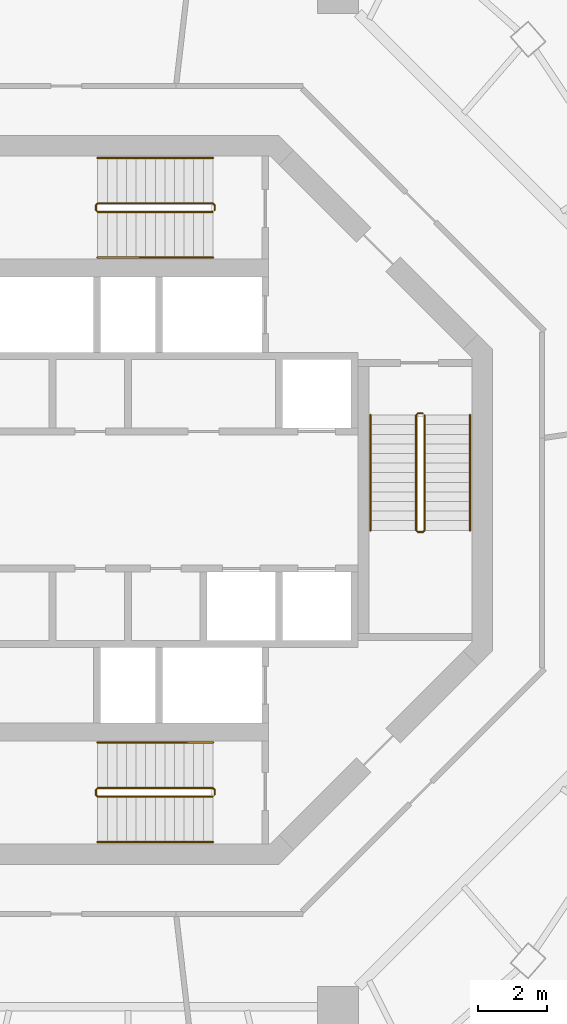
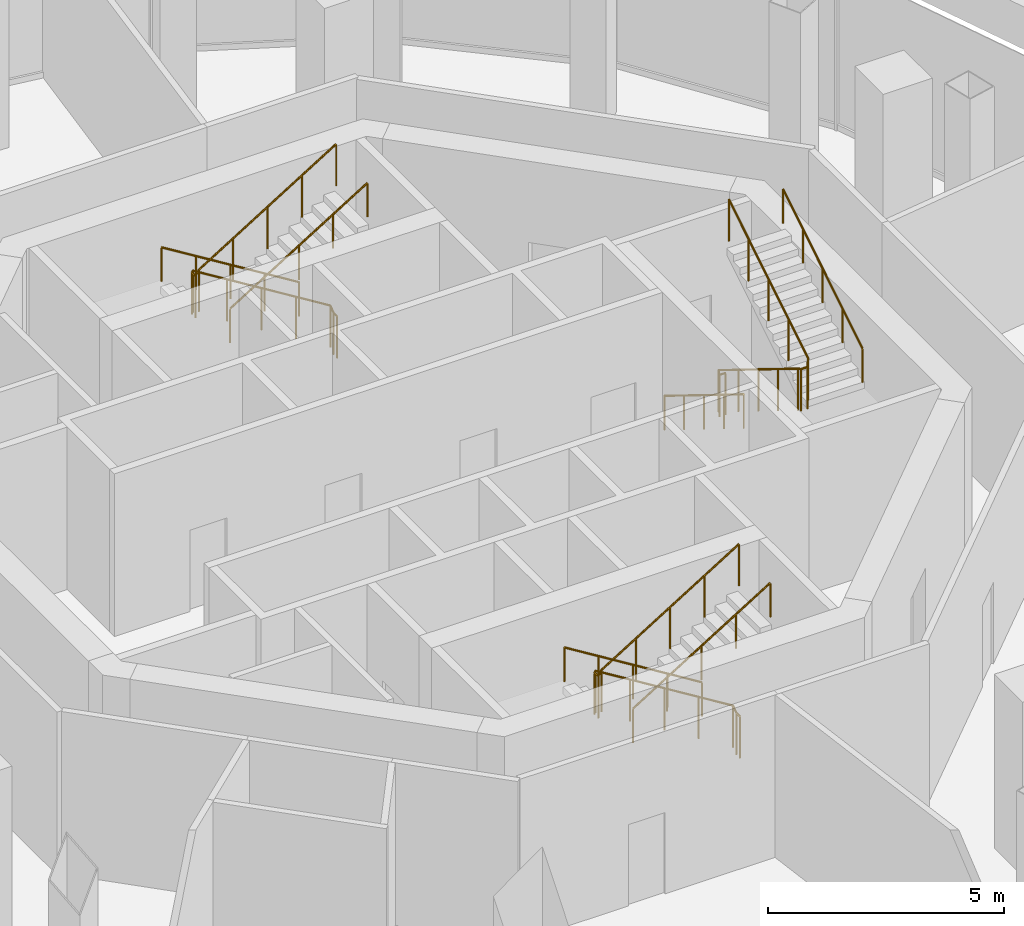
# One storey, part 10 of 11: 9 railings.
"""IFC4 building model written with IfcOpenShell, lengths in metres."""

import ifcopenshell
import ifcopenshell.guid

model = None  # the IFC model being written
_history = None  # IfcOwnerHistory: only IFC2X3 demands one
_inside = {}  # id of a spatial element -> (the spatial element, [elements in it])
_under = {}  # id of a project, library or spatial element -> (it, [spatial elements below it])
_declared = {}  # id of a project -> (the project, [libraries it declares])
_typed = {}  # id of a type object -> (the type object, [elements of that type])
_made_of = {}  # id of a material, layer set ... -> (it, [elements and type objects made of it])


def new_model(schema):
    """Start an empty IFC model of exactly this schema.

    Asked for "IFC4X3", IfcOpenShell would pick the latest addendum, in which some entities
    have other attributes; the version numbers below select the first issue.
    IFC2X3 requires an IfcOwnerHistory on every rooted entity: one is made here for all.
    """
    global model, _history
    if schema == "IFC4X3":
        model = ifcopenshell.file(schema_version=(4, 3, 0, 0))
    else:
        model = ifcopenshell.file(schema=schema)
    _inside.clear()
    _under.clear()
    _declared.clear()
    _typed.clear()
    _made_of.clear()
    _history = None
    if model.schema == "IFC2X3":
        org = make("IfcOrganization", Name="unknown")
        user = make(
            "IfcPersonAndOrganization",
            ThePerson=make("IfcPerson", FamilyName="unknown"),
            TheOrganization=org,
        )
        app = make(
            "IfcApplication",
            ApplicationDeveloper=org,
            Version="unknown",
            ApplicationFullName="unknown",
            ApplicationIdentifier="unknown",
        )
        _history = make(
            "IfcOwnerHistory",
            OwningUser=user,
            OwningApplication=app,
            ChangeAction="ADDED",
            CreationDate=0,
        )
    return model


def make(cls, **values):
    """One entity of the class cls with the attributes given. An attribute that is None is left unset."""
    return model.create_entity(
        cls, **{name: value for name, value in values.items() if value is not None}
    )


def rooted(cls, **values):
    """An entity with a GlobalId (a new one), such as an element, a storey or a relation."""
    return make(cls, GlobalId=ifcopenshell.guid.new(), OwnerHistory=_history, **values)


def si_unit(unit_type, name, prefix=None):
    """IfcSIUnit, for example si_unit("LENGTHUNIT", "METRE", prefix="MILLI")."""
    return make("IfcSIUnit", UnitType=unit_type, Prefix=prefix, Name=name)


def assignment(units):
    """IfcUnitAssignment: the units of a project."""
    return None if units is None else make("IfcUnitAssignment", Units=units)


def point(xyz):
    """IfcCartesianPoint."""
    return None if xyz is None else make("IfcCartesianPoint", Coordinates=xyz)


def direction(xyz):
    """IfcDirection."""
    return None if xyz is None else make("IfcDirection", DirectionRatios=xyz)


def frame(location, z_axis=None, x_axis=None):
    """IfcAxis2Placement3D, a coordinate frame: its origin and axes. An axis left out is left unset."""
    return make(
        "IfcAxis2Placement3D",
        Location=point(location),
        Axis=direction(z_axis),
        RefDirection=direction(x_axis),
    )


def frame_2d(location, x_axis=None):
    """IfcAxis2Placement2D, a coordinate frame in the plane: its origin and x axis."""
    return make(
        "IfcAxis2Placement2D", Location=point(location), RefDirection=direction(x_axis)
    )


def origin():
    """The frame at (0, 0, 0) with its axes left unset."""
    return frame((0.0, 0.0, 0.0))


def origin_2d():
    """The frame at (0, 0) in the plane with its x axis left unset."""
    return frame_2d((0.0, 0.0))


def place(relative_to, where):
    """IfcLocalPlacement: puts the frame where relative to a parent placement (None: the world)."""
    return make(
        "IfcLocalPlacement", PlacementRelTo=relative_to, RelativePlacement=where
    )


def context(
    kind, dimensions, precision=None, world=None, true_north=None, identifier=None
):
    """IfcGeometricRepresentationContext, for example the 3D "Model" context."""
    return make(
        "IfcGeometricRepresentationContext",
        ContextIdentifier=identifier,
        ContextType=kind,
        CoordinateSpaceDimension=dimensions,
        Precision=precision,
        WorldCoordinateSystem=world,
        TrueNorth=true_north,
    )


def subcontext(parent, identifier, kind, view, scale=None):
    """IfcGeometricRepresentationSubContext, for example "Body" below "Model"."""
    return make(
        "IfcGeometricRepresentationSubContext",
        ContextIdentifier=identifier,
        ContextType=kind,
        ParentContext=parent,
        TargetScale=scale,
        TargetView=view,
    )


def project(units=None, contexts=None):
    """IfcProject with its units and contexts."""
    return rooted(
        "IfcProject",
        Name="project",
        RepresentationContexts=contexts,
        UnitsInContext=assignment(units),
    )


def spatial(cls, under=None, at=None, **own):
    """A site, building, storey or space (cls), placed at a placement, below another one or the project."""
    s = rooted(cls, ObjectPlacement=at, **own)
    if under is not None:
        _under.setdefault(under.id(), (under, []))[1].append(s)
    return s


def profile(cls, at=None, kind="AREA", **sizes):
    """A parametric profile (cls). Its sizes go by their IFC names, for example OverallWidth=200.0."""
    return make(cls, ProfileType=kind, Position=at, **sizes)


def circle(**sizes):
    """IfcCircleProfileDef."""
    return profile("IfcCircleProfileDef", **sizes)


def extrude(swept, where, along, depth):
    """IfcExtrudedAreaSolid: the profile swept, set in the frame where, extruded along a direction by depth."""
    return make(
        "IfcExtrudedAreaSolid",
        SweptArea=swept,
        Position=where,
        ExtrudedDirection=direction(along),
        Depth=depth,
    )


def shape(context_of_items, identifier, shape_type, items):
    """IfcShapeRepresentation: the items that make up one representation, for example the "Body"."""
    return make(
        "IfcShapeRepresentation",
        ContextOfItems=context_of_items,
        RepresentationIdentifier=identifier,
        RepresentationType=shape_type,
        Items=items,
    )


def material(Name=None, Category=None):
    """IfcMaterial."""
    return make("IfcMaterial", Name=Name, Category=Category)


def made_of(thing, what):
    """Note that an element or type object is made of a material, layer set ...; save() writes the relation."""
    if what is not None:
        _made_of.setdefault(what.id(), (what, []))[1].append(thing)
    return thing


def type_object(cls, material=None, **own):
    """A type object (cls), such as IfcWallType, which elements share."""
    return made_of(rooted(cls, **own), material)


def element(
    cls,
    number,
    at=None,
    inside=None,
    cuts=None,
    type_object=None,
    material=None,
    context=None,
    identifier="Body",
    shape_type=None,
    held_by="IfcProductDefinitionShape",
    body=None,
    shapes=None,
    **own,
):
    """One element of the class cls, such as IfcWall. Its Tag is "e" and its number.

    at: its placement. inside: the storey or other place that contains it. cuts: it is an
    opening in that element (IfcRelVoidsElement). A single representation is given by context,
    identifier, shape_type and body (its items); several are given by shapes. held_by: the class
    of the entity that holds the representations. save() writes the other relations.
    """
    e = rooted(cls, Tag="e%d" % number, ObjectPlacement=at, **own)
    if body is not None:
        shapes = [shape(context, identifier, shape_type, body)]
    if shapes is not None:
        e.Representation = make(held_by, Representations=shapes)
    if inside is not None:
        _inside.setdefault(inside.id(), (inside, []))[1].append(e)
    if cuts is not None:
        rooted(
            "IfcRelVoidsElement", RelatingBuildingElement=cuts, RelatedOpeningElement=e
        )
    if type_object is not None:
        _typed.setdefault(type_object.id(), (type_object, []))[1].append(e)
    return made_of(e, material)


def aggregate(whole, parts):
    """IfcRelAggregates: a whole, such as a stair, and the parts it consists of."""
    return rooted("IfcRelAggregates", RelatingObject=whole, RelatedObjects=parts)


def save(model, path):
    """Write the relations noted so far, then the file.

    IfcRelAggregates (storeys below a building ...), IfcRelContainedInSpatialStructure (elements
    in a storey), IfcRelDefinesByType, IfcRelAssociatesMaterial and IfcRelDeclares: one each for
    every whole, place, type object, material and project.
    """
    for whole, parts in _under.values():
        aggregate(whole, parts)
    for where, things in _inside.values():
        rooted(
            "IfcRelContainedInSpatialStructure",
            RelatedElements=things,
            RelatingStructure=where,
        )
    for kind, things in _typed.values():
        rooted("IfcRelDefinesByType", RelatedObjects=things, RelatingType=kind)
    for what, things in _made_of.values():
        rooted("IfcRelAssociatesMaterial", RelatedObjects=things, RelatingMaterial=what)
    for by, libraries in _declared.values():
        rooted("IfcRelDeclares", RelatingContext=by, RelatedDefinitions=libraries)
    model.write(path)


model = new_model("IFC4")

# Units and contexts
model_context = context("Model", 3, precision=1e-05, world=origin(), true_north=direction((0.0, 1.0)))
body_context = subcontext(model_context, "Body", "Model", "MODEL_VIEW")
ifc_project = project(units=[si_unit("LENGTHUNIT", "METRE"), si_unit("AREAUNIT", "SQUARE_METRE"), si_unit("VOLUMEUNIT", "CUBIC_METRE"), si_unit("PLANEANGLEUNIT", "RADIAN"), si_unit("MASSUNIT", "GRAM", prefix="KILO")], contexts=[model_context])

# Site, building, storey
site_placement = place(None, origin())
site = spatial("IfcSite", under=ifc_project, at=site_placement, CompositionType="ELEMENT")
building_placement = place(site_placement, origin())
building = spatial("IfcBuilding", under=site, at=building_placement, Name="Nagisa Residences", CompositionType="ELEMENT")
storey_placement = place(building_placement, frame((0.0, 0.0, 320.39990234375)))
storey = spatial("IfcBuildingStorey", under=building, at=storey_placement, Name="L79", CompositionType="ELEMENT", Elevation=320.39990234375)

# Railings
ifc_material_1 = material(Name="Stainless steel", Category="steel")
railing_type_1 = type_object("IfcRailingType", Name="Stair guard 1100", PredefinedType="GUARDRAIL", material=ifc_material_1)
railing_1_placement = place(storey_placement, frame((8.599609375, 2.52490234375, 0.0)))
element("IfcRailing", 1, at=railing_1_placement, inside=storey, type_object=railing_type_1, Name="L79 ST-E stair guard 1", PredefinedType="GUARDRAIL", context=body_context, shape_type="SweptSolid", body=[
    extrude(circle(Radius=0.02392578125, at=origin_2d()), frame((0.0, 0.0, 1.076171875), z_axis=(-1.0, 0.0, 0.0), x_axis=(0.0, -1.0, 0.0)), (0.0, 0.0, 1.0), 0.14990234375),
    extrude(circle(Radius=0.02392578125, at=origin_2d()), frame((-0.14990234375, 0.0, 1.076171875), z_axis=(-0.267723051232, -0.266417085129, 0.925929967433), x_axis=(0.705375805398, -0.708833529934, 0.0)), (0.0, 0.0, 1.0), 0.18701171875),
    extrude(circle(Radius=0.02392578125, at=origin_2d()), frame((-0.199951171875, -0.0498046875, 1.2490234375), z_axis=(0.0, -0.850623216509, 0.525775754039), x_axis=(1.0, 0.0, 0.0)), (0.0, 0.0, 1.0), 3.9501953125),
    extrude(circle(Radius=0.02392578125, at=origin_2d()), frame((-0.199951171875, -3.409912109375, 3.326171875), z_axis=(0.707106781187, -0.707106781187, 0.0), x_axis=(0.707106781187, 0.707106781187, 0.0)), (0.0, 0.0, 1.0), 0.07080078125),
    extrude(circle(Radius=0.02392578125, at=origin_2d()), frame((-0.14990234375, -3.4599609375, 3.326171875), z_axis=(1.0, 0.0, 0.0), x_axis=(0.0, 1.0, 0.0)), (0.0, 0.0, 1.0), 0.14990234375),
    extrude(circle(Radius=0.02392578125, at=origin_2d()), frame((0.0, -3.4599609375, 3.326171875), z_axis=(0.267629722418, 0.267629722418, 0.925607186314), x_axis=(-0.707106781187, 0.707106781187, 0.0)), (0.0, 0.0, 1.0), 0.18701171875),
    extrude(circle(Radius=0.02392578125, at=origin_2d()), frame((0.050048828125, -3.409912109375, 3.4990234375), z_axis=(0.0, 0.850623216509, 0.525775754039), x_axis=(-1.0, 0.0, 0.0)), (0.0, 0.0, 1.0), 3.9501953125),
    extrude(circle(Radius=0.02099609375, at=origin_2d()), origin(), (0.0, 0.0, 1.0), 1.052001953125),
    extrude(circle(Radius=0.02099609375, at=origin_2d()), frame((-0.14990234375, 0.0, 0.0)), (0.0, 0.0, 1.0), 1.052001953125),
    extrude(circle(Radius=0.02099609375, at=origin_2d()), frame((-0.199951171875, -0.0498046875, 0.173095703125)), (0.0, 0.0, 1.0), 1.052001953125),
    extrude(circle(Radius=0.02099609375, at=origin_2d()), frame((-0.199951171875, -0.889892578125, 0.6923828125)), (0.0, 0.0, 1.0), 1.052001953125),
    extrude(circle(Radius=0.02099609375, at=origin_2d()), frame((-0.199951171875, -1.72998046875, 1.21142578125)), (0.0, 0.0, 1.0), 1.052001953125),
    extrude(circle(Radius=0.02099609375, at=origin_2d()), frame((-0.199951171875, -2.56982421875, 1.730712890625)), (0.0, 0.0, 1.0), 1.052001953125),
    extrude(circle(Radius=0.02099609375, at=origin_2d()), frame((-0.199951171875, -3.409912109375, 2.25)), (0.0, 0.0, 1.0), 1.052001953125),
    extrude(circle(Radius=0.02099609375, at=origin_2d()), frame((-0.14990234375, -3.4599609375, 2.25)), (0.0, 0.0, 1.0), 1.052001953125),
    extrude(circle(Radius=0.02099609375, at=origin_2d()), frame((0.0, -3.4599609375, 2.25)), (0.0, 0.0, 1.0), 1.052001953125),
    extrude(circle(Radius=0.02099609375, at=origin_2d()), frame((0.050048828125, -3.409912109375, 2.423095703125)), (0.0, 0.0, 1.0), 1.052001953125),
    extrude(circle(Radius=0.02099609375, at=origin_2d()), frame((0.050048828125, -2.56982421875, 2.9423828125)), (0.0, 0.0, 1.0), 1.052001953125),
    extrude(circle(Radius=0.02099609375, at=origin_2d()), frame((0.050048828125, -1.72998046875, 3.46142578125)), (0.0, 0.0, 1.0), 1.052001953125),
    extrude(circle(Radius=0.02099609375, at=origin_2d()), frame((0.050048828125, -0.889892578125, 3.980712890625)), (0.0, 0.0, 1.0), 1.052001953125),
    extrude(circle(Radius=0.02099609375, at=origin_2d()), frame((0.050048828125, -0.0498046875, 4.5)), (0.0, 0.0, 1.0), 1.052001953125),
])
railing_2_placement = place(storey_placement, frame((2.52490234375, 8.44970703125, 0.0)))
element("IfcRailing", 2, at=railing_2_placement, inside=storey, type_object=railing_type_1, Name="L79 ST-N stair guard 1", PredefinedType="GUARDRAIL", context=body_context, shape_type="SweptSolid", body=[
    extrude(circle(Radius=0.02392578125, at=origin_2d()), frame((0.0, 0.0, 1.076171875), z_axis=(0.0, 1.0, 0.0), x_axis=(-1.0, 0.0, 0.0)), (0.0, 0.0, 1.0), 0.14990234375),
    extrude(circle(Radius=0.02392578125, at=origin_2d()), frame((0.0, 0.14990234375, 1.076171875), z_axis=(-0.266417085129, 0.267723051232, 0.925929967433), x_axis=(-0.708833529934, -0.705375805398, 0.0)), (0.0, 0.0, 1.0), 0.18701171875),
    extrude(circle(Radius=0.02392578125, at=origin_2d()), frame((-0.0498046875, 0.199951171875, 1.2490234375), z_axis=(-0.850623216509, 0.0, 0.525775754039), x_axis=(0.0, -1.0, 0.0)), (0.0, 0.0, 1.0), 3.9501953125),
    extrude(circle(Radius=0.02392578125, at=origin_2d()), frame((-3.409912109375, 0.199951171875, 3.326171875), z_axis=(-0.707106781187, -0.707106781187, 0.0), x_axis=(0.707106781187, -0.707106781187, 0.0)), (0.0, 0.0, 1.0), 0.07080078125),
    extrude(circle(Radius=0.02392578125, at=origin_2d()), frame((-3.4599609375, 0.14990234375, 3.326171875), z_axis=(0.0, -1.0, 0.0), x_axis=(1.0, 0.0, 0.0)), (0.0, 0.0, 1.0), 0.14990234375),
    extrude(circle(Radius=0.02392578125, at=origin_2d()), frame((-3.4599609375, 0.0, 3.326171875), z_axis=(0.267629722418, -0.267629722418, 0.925607186314), x_axis=(0.707106781187, 0.707106781187, 0.0)), (0.0, 0.0, 1.0), 0.18701171875),
    extrude(circle(Radius=0.02392578125, at=origin_2d()), frame((-3.409912109375, -0.050048828125, 3.4990234375), z_axis=(0.850623216509, 0.0, 0.525775754039), x_axis=(0.0, 1.0, 0.0)), (0.0, 0.0, 1.0), 3.9501953125),
    extrude(circle(Radius=0.02099609375, at=origin_2d()), origin(), (0.0, 0.0, 1.0), 1.052001953125),
    extrude(circle(Radius=0.02099609375, at=origin_2d()), frame((0.0, 0.14990234375, 0.0)), (0.0, 0.0, 1.0), 1.052001953125),
    extrude(circle(Radius=0.02099609375, at=origin_2d()), frame((-0.0498046875, 0.199951171875, 0.173095703125)), (0.0, 0.0, 1.0), 1.052001953125),
    extrude(circle(Radius=0.02099609375, at=origin_2d()), frame((-0.889892578125, 0.199951171875, 0.6923828125)), (0.0, 0.0, 1.0), 1.052001953125),
    extrude(circle(Radius=0.02099609375, at=origin_2d()), frame((-1.72998046875, 0.199951171875, 1.21142578125)), (0.0, 0.0, 1.0), 1.052001953125),
    extrude(circle(Radius=0.02099609375, at=origin_2d()), frame((-2.56982421875, 0.199951171875, 1.730712890625)), (0.0, 0.0, 1.0), 1.052001953125),
    extrude(circle(Radius=0.02099609375, at=origin_2d()), frame((-3.409912109375, 0.199951171875, 2.25)), (0.0, 0.0, 1.0), 1.052001953125),
    extrude(circle(Radius=0.02099609375, at=origin_2d()), frame((-3.4599609375, 0.14990234375, 2.25)), (0.0, 0.0, 1.0), 1.052001953125),
    extrude(circle(Radius=0.02099609375, at=origin_2d()), frame((-3.4599609375, 0.0, 2.25)), (0.0, 0.0, 1.0), 1.052001953125),
    extrude(circle(Radius=0.02099609375, at=origin_2d()), frame((-3.409912109375, -0.050048828125, 2.423095703125)), (0.0, 0.0, 1.0), 1.052001953125),
    extrude(circle(Radius=0.02099609375, at=origin_2d()), frame((-2.56982421875, -0.050048828125, 2.9423828125)), (0.0, 0.0, 1.0), 1.052001953125),
    extrude(circle(Radius=0.02099609375, at=origin_2d()), frame((-1.72998046875, -0.050048828125, 3.46142578125)), (0.0, 0.0, 1.0), 1.052001953125),
    extrude(circle(Radius=0.02099609375, at=origin_2d()), frame((-0.889892578125, -0.050048828125, 3.980712890625)), (0.0, 0.0, 1.0), 1.052001953125),
    extrude(circle(Radius=0.02099609375, at=origin_2d()), frame((-0.0498046875, -0.050048828125, 4.5)), (0.0, 0.0, 1.0), 1.052001953125),
])
railing_3_placement = place(storey_placement, frame((2.52490234375, -8.599609375, 0.0)))
element("IfcRailing", 3, at=railing_3_placement, inside=storey, type_object=railing_type_1, Name="L79 ST-S stair guard 1", PredefinedType="GUARDRAIL", context=body_context, shape_type="SweptSolid", body=[
    extrude(circle(Radius=0.02392578125, at=origin_2d()), frame((0.0, 0.0, 1.076171875), z_axis=(0.0, 1.0, 0.0), x_axis=(-1.0, 0.0, 0.0)), (0.0, 0.0, 1.0), 0.14990234375),
    extrude(circle(Radius=0.02392578125, at=origin_2d()), frame((0.0, 0.14990234375, 1.076171875), z_axis=(-0.266417085129, 0.267723051232, 0.925929967433), x_axis=(-0.708833529934, -0.705375805398, 0.0)), (0.0, 0.0, 1.0), 0.18701171875),
    extrude(circle(Radius=0.02392578125, at=origin_2d()), frame((-0.0498046875, 0.199951171875, 1.2490234375), z_axis=(-0.850623216509, 0.0, 0.525775754039), x_axis=(0.0, -1.0, 0.0)), (0.0, 0.0, 1.0), 3.9501953125),
    extrude(circle(Radius=0.02392578125, at=origin_2d()), frame((-3.409912109375, 0.199951171875, 3.326171875), z_axis=(-0.707106781187, -0.707106781187, 0.0), x_axis=(0.707106781187, -0.707106781187, 0.0)), (0.0, 0.0, 1.0), 0.07080078125),
    extrude(circle(Radius=0.02392578125, at=origin_2d()), frame((-3.4599609375, 0.14990234375, 3.326171875), z_axis=(0.0, -1.0, 0.0), x_axis=(1.0, 0.0, 0.0)), (0.0, 0.0, 1.0), 0.14990234375),
    extrude(circle(Radius=0.02392578125, at=origin_2d()), frame((-3.4599609375, 0.0, 3.326171875), z_axis=(0.267629722418, -0.267629722418, 0.925607186314), x_axis=(0.707106781187, 0.707106781187, 0.0)), (0.0, 0.0, 1.0), 0.18701171875),
    extrude(circle(Radius=0.02392578125, at=origin_2d()), frame((-3.409912109375, -0.050048828125, 3.4990234375), z_axis=(0.850623216509, 0.0, 0.525775754039), x_axis=(0.0, 1.0, 0.0)), (0.0, 0.0, 1.0), 3.9501953125),
    extrude(circle(Radius=0.02099609375, at=origin_2d()), origin(), (0.0, 0.0, 1.0), 1.052001953125),
    extrude(circle(Radius=0.02099609375, at=origin_2d()), frame((0.0, 0.14990234375, 0.0)), (0.0, 0.0, 1.0), 1.052001953125),
    extrude(circle(Radius=0.02099609375, at=origin_2d()), frame((-0.0498046875, 0.199951171875, 0.173095703125)), (0.0, 0.0, 1.0), 1.052001953125),
    extrude(circle(Radius=0.02099609375, at=origin_2d()), frame((-0.889892578125, 0.199951171875, 0.6923828125)), (0.0, 0.0, 1.0), 1.052001953125),
    extrude(circle(Radius=0.02099609375, at=origin_2d()), frame((-1.72998046875, 0.199951171875, 1.21142578125)), (0.0, 0.0, 1.0), 1.052001953125),
    extrude(circle(Radius=0.02099609375, at=origin_2d()), frame((-2.56982421875, 0.199951171875, 1.730712890625)), (0.0, 0.0, 1.0), 1.052001953125),
    extrude(circle(Radius=0.02099609375, at=origin_2d()), frame((-3.409912109375, 0.199951171875, 2.25)), (0.0, 0.0, 1.0), 1.052001953125),
    extrude(circle(Radius=0.02099609375, at=origin_2d()), frame((-3.4599609375, 0.14990234375, 2.25)), (0.0, 0.0, 1.0), 1.052001953125),
    extrude(circle(Radius=0.02099609375, at=origin_2d()), frame((-3.4599609375, 0.0, 2.25)), (0.0, 0.0, 1.0), 1.052001953125),
    extrude(circle(Radius=0.02099609375, at=origin_2d()), frame((-3.409912109375, -0.050048828125, 2.423095703125)), (0.0, 0.0, 1.0), 1.052001953125),
    extrude(circle(Radius=0.02099609375, at=origin_2d()), frame((-2.56982421875, -0.050048828125, 2.9423828125)), (0.0, 0.0, 1.0), 1.052001953125),
    extrude(circle(Radius=0.02099609375, at=origin_2d()), frame((-1.72998046875, -0.050048828125, 3.46142578125)), (0.0, 0.0, 1.0), 1.052001953125),
    extrude(circle(Radius=0.02099609375, at=origin_2d()), frame((-0.889892578125, -0.050048828125, 3.980712890625)), (0.0, 0.0, 1.0), 1.052001953125),
    extrude(circle(Radius=0.02099609375, at=origin_2d()), frame((-0.0498046875, -0.050048828125, 4.5)), (0.0, 0.0, 1.0), 1.052001953125),
])
ifc_material_2 = material(Name="Stainless steel", Category="steel")
railing_type_2 = type_object("IfcRailingType", Name="Stair handrail 900", PredefinedType="HANDRAIL", material=ifc_material_2)
railing_4_placement = place(storey_placement, frame((7.07470703125, 2.47509765625, 0.173095703125)))
element("IfcRailing", 4, at=railing_4_placement, inside=storey, type_object=railing_type_2, Name="L79 ST-E stair handrail 1", PredefinedType="HANDRAIL", context=body_context, shape_type="SweptSolid", body=[
    extrude(circle(Radius=0.02392578125, at=origin_2d()), frame((0.0, 0.0, 0.8759765625), z_axis=(0.0, -0.850623216509, 0.525775754039), x_axis=(1.0, 0.0, 0.0)), (0.0, 0.0, 1.0), 3.9501953125),
    extrude(circle(Radius=0.02099609375, at=origin_2d()), origin(), (0.0, 0.0, 1.0), 0.851806640625),
    extrude(circle(Radius=0.02099609375, at=origin_2d()), frame((0.0, -0.840087890625, 0.519287109375)), (0.0, 0.0, 1.0), 0.851806640625),
    extrude(circle(Radius=0.02099609375, at=origin_2d()), frame((0.0, -1.68017578125, 1.03857421875)), (0.0, 0.0, 1.0), 0.851806640625),
    extrude(circle(Radius=0.02099609375, at=origin_2d()), frame((0.0, -2.52001953125, 1.5576171875)), (0.0, 0.0, 1.0), 0.851806640625),
    extrude(circle(Radius=0.02099609375, at=origin_2d()), frame((0.0, -3.360107421875, 2.076904296875)), (0.0, 0.0, 1.0), 0.851806640625),
])
railing_5_placement = place(storey_placement, frame((9.974609375, -0.885009765625, 2.423095703125)))
element("IfcRailing", 5, at=railing_5_placement, inside=storey, type_object=railing_type_2, Name="L79 ST-E stair handrail 2", PredefinedType="HANDRAIL", context=body_context, shape_type="SweptSolid", body=[
    extrude(circle(Radius=0.02392578125, at=origin_2d()), frame((0.0, 0.0, 0.8759765625), z_axis=(0.0, 0.850623216509, 0.525775754039), x_axis=(-1.0, 0.0, 0.0)), (0.0, 0.0, 1.0), 3.9501953125),
    extrude(circle(Radius=0.02099609375, at=origin_2d()), origin(), (0.0, 0.0, 1.0), 0.851806640625),
    extrude(circle(Radius=0.02099609375, at=origin_2d()), frame((0.0, 0.840087890625, 0.519287109375)), (0.0, 0.0, 1.0), 0.851806640625),
    extrude(circle(Radius=0.02099609375, at=origin_2d()), frame((0.0, 1.68017578125, 1.03857421875)), (0.0, 0.0, 1.0), 0.851806640625),
    extrude(circle(Radius=0.02099609375, at=origin_2d()), frame((0.0, 2.52001953125, 1.5576171875)), (0.0, 0.0, 1.0), 0.851806640625),
    extrude(circle(Radius=0.02099609375, at=origin_2d()), frame((0.0, 3.360107421875, 2.076904296875)), (0.0, 0.0, 1.0), 0.851806640625),
])
railing_6_placement = place(storey_placement, frame((2.47509765625, 9.974609375, 0.173095703125)))
element("IfcRailing", 6, at=railing_6_placement, inside=storey, type_object=railing_type_2, Name="L79 ST-N stair handrail 1", PredefinedType="HANDRAIL", context=body_context, shape_type="SweptSolid", body=[
    extrude(circle(Radius=0.02392578125, at=origin_2d()), frame((0.0, 0.0, 0.8759765625), z_axis=(-0.850623216509, 0.0, 0.525775754039), x_axis=(0.0, -1.0, 0.0)), (0.0, 0.0, 1.0), 3.9501953125),
    extrude(circle(Radius=0.02099609375, at=origin_2d()), origin(), (0.0, 0.0, 1.0), 0.851806640625),
    extrude(circle(Radius=0.02099609375, at=origin_2d()), frame((-0.840087890625, 0.0, 0.519287109375)), (0.0, 0.0, 1.0), 0.851806640625),
    extrude(circle(Radius=0.02099609375, at=origin_2d()), frame((-1.68017578125, 0.0, 1.03857421875)), (0.0, 0.0, 1.0), 0.851806640625),
    extrude(circle(Radius=0.02099609375, at=origin_2d()), frame((-2.52001953125, 0.0, 1.5576171875)), (0.0, 0.0, 1.0), 0.851806640625),
    extrude(circle(Radius=0.02099609375, at=origin_2d()), frame((-3.360107421875, 0.0, 2.076904296875)), (0.0, 0.0, 1.0), 0.851806640625),
])
railing_7_placement = place(storey_placement, frame((-0.885009765625, 7.07470703125, 2.423095703125)))
element("IfcRailing", 7, at=railing_7_placement, inside=storey, type_object=railing_type_2, Name="L79 ST-N stair handrail 2", PredefinedType="HANDRAIL", context=body_context, shape_type="SweptSolid", body=[
    extrude(circle(Radius=0.02392578125, at=origin_2d()), frame((0.0, 0.0, 0.8759765625), z_axis=(0.850623216509, 0.0, 0.525775754039), x_axis=(0.0, 1.0, 0.0)), (0.0, 0.0, 1.0), 3.9501953125),
    extrude(circle(Radius=0.02099609375, at=origin_2d()), origin(), (0.0, 0.0, 1.0), 0.851806640625),
    extrude(circle(Radius=0.02099609375, at=origin_2d()), frame((0.840087890625, 0.0, 0.519287109375)), (0.0, 0.0, 1.0), 0.851806640625),
    extrude(circle(Radius=0.02099609375, at=origin_2d()), frame((1.68017578125, 0.0, 1.03857421875)), (0.0, 0.0, 1.0), 0.851806640625),
    extrude(circle(Radius=0.02099609375, at=origin_2d()), frame((2.52001953125, 0.0, 1.5576171875)), (0.0, 0.0, 1.0), 0.851806640625),
    extrude(circle(Radius=0.02099609375, at=origin_2d()), frame((3.360107421875, 0.0, 2.076904296875)), (0.0, 0.0, 1.0), 0.851806640625),
])
railing_8_placement = place(storey_placement, frame((2.47509765625, -7.07470703125, 0.173095703125)))
element("IfcRailing", 8, at=railing_8_placement, inside=storey, type_object=railing_type_2, Name="L79 ST-S stair handrail 1", PredefinedType="HANDRAIL", context=body_context, shape_type="SweptSolid", body=[
    extrude(circle(Radius=0.02392578125, at=origin_2d()), frame((0.0, 0.0, 0.8759765625), z_axis=(-0.850623216509, 0.0, 0.525775754039), x_axis=(0.0, -1.0, 0.0)), (0.0, 0.0, 1.0), 3.9501953125),
    extrude(circle(Radius=0.02099609375, at=origin_2d()), origin(), (0.0, 0.0, 1.0), 0.851806640625),
    extrude(circle(Radius=0.02099609375, at=origin_2d()), frame((-0.840087890625, 0.0, 0.519287109375)), (0.0, 0.0, 1.0), 0.851806640625),
    extrude(circle(Radius=0.02099609375, at=origin_2d()), frame((-1.68017578125, 0.0, 1.03857421875)), (0.0, 0.0, 1.0), 0.851806640625),
    extrude(circle(Radius=0.02099609375, at=origin_2d()), frame((-2.52001953125, 0.0, 1.5576171875)), (0.0, 0.0, 1.0), 0.851806640625),
    extrude(circle(Radius=0.02099609375, at=origin_2d()), frame((-3.360107421875, 0.0, 2.076904296875)), (0.0, 0.0, 1.0), 0.851806640625),
])
railing_9_placement = place(storey_placement, frame((-0.885009765625, -9.974609375, 2.423095703125)))
element("IfcRailing", 9, at=railing_9_placement, inside=storey, type_object=railing_type_2, Name="L79 ST-S stair handrail 2", PredefinedType="HANDRAIL", context=body_context, shape_type="SweptSolid", body=[
    extrude(circle(Radius=0.02392578125, at=origin_2d()), frame((0.0, 0.0, 0.8759765625), z_axis=(0.850623216509, 0.0, 0.525775754039), x_axis=(0.0, 1.0, 0.0)), (0.0, 0.0, 1.0), 3.9501953125),
    extrude(circle(Radius=0.02099609375, at=origin_2d()), origin(), (0.0, 0.0, 1.0), 0.851806640625),
    extrude(circle(Radius=0.02099609375, at=origin_2d()), frame((0.840087890625, 0.0, 0.519287109375)), (0.0, 0.0, 1.0), 0.851806640625),
    extrude(circle(Radius=0.02099609375, at=origin_2d()), frame((1.68017578125, 0.0, 1.03857421875)), (0.0, 0.0, 1.0), 0.851806640625),
    extrude(circle(Radius=0.02099609375, at=origin_2d()), frame((2.52001953125, 0.0, 1.5576171875)), (0.0, 0.0, 1.0), 0.851806640625),
    extrude(circle(Radius=0.02099609375, at=origin_2d()), frame((3.360107421875, 0.0, 2.076904296875)), (0.0, 0.0, 1.0), 0.851806640625),
])

save(model, "model.ifc")
